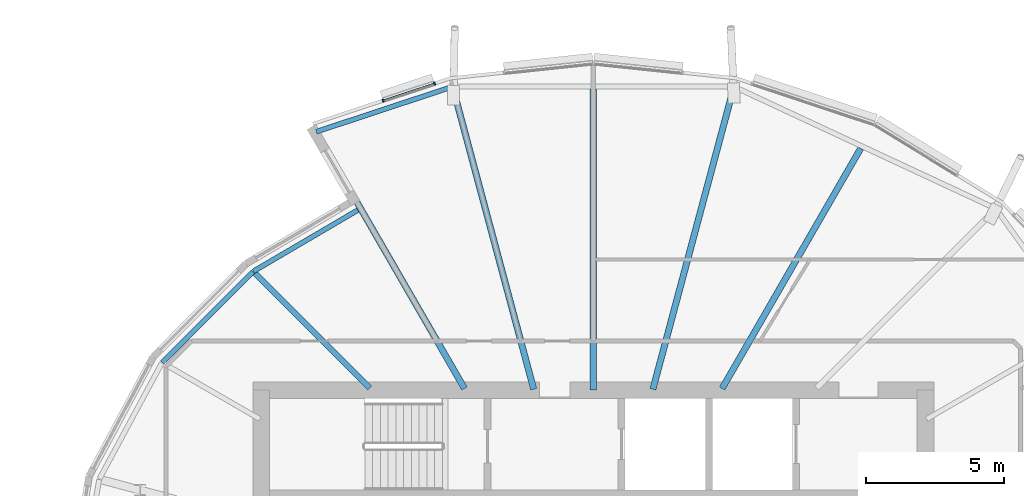
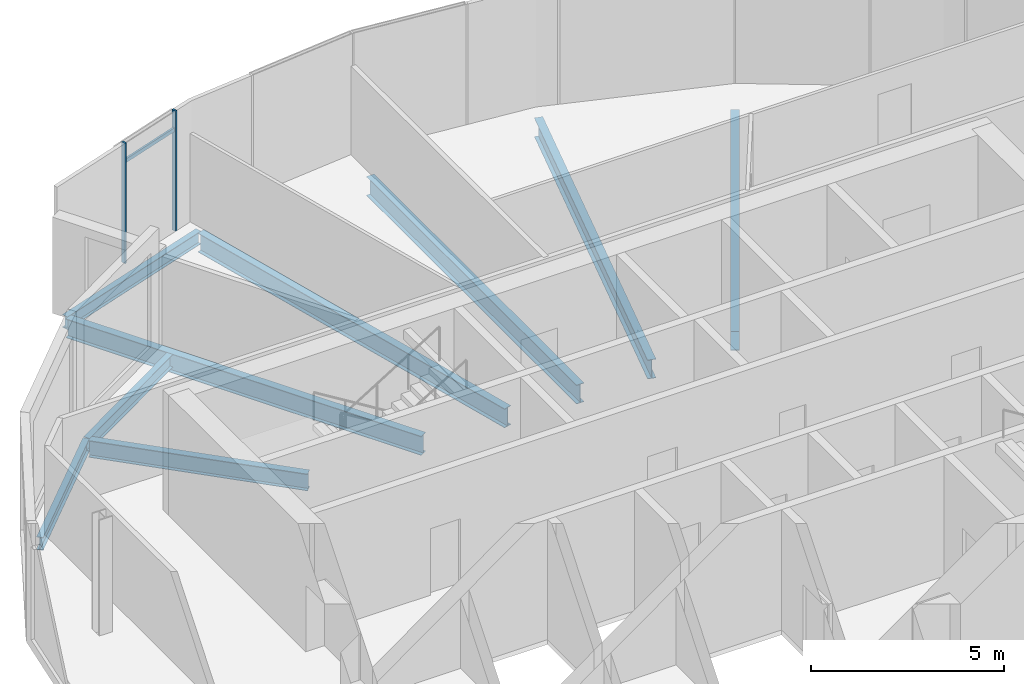
# One storey, part 8 of 36: 9 beams, 3 members, 1 element without a shape of its own.
"""IFC4 building model written with IfcOpenShell, lengths in metres."""

from ifc_helpers import new_model, si_unit, direction, frame, origin, origin_2d, place, context, subcontext, project, spatial, rectangle, i_section, extrude, material, material_profile, profile_set, type_object, element, aggregate, save


model = new_model("IFC4")

# Units and contexts
model_context = context("Model", 3, precision=1e-05, world=origin(), true_north=direction((0.0, 1.0)))
body_context = subcontext(model_context, "Body", "Model", "MODEL_VIEW")
ifc_project = project(units=[si_unit("LENGTHUNIT", "METRE"), si_unit("AREAUNIT", "SQUARE_METRE"), si_unit("VOLUMEUNIT", "CUBIC_METRE"), si_unit("PLANEANGLEUNIT", "RADIAN"), si_unit("MASSUNIT", "GRAM", prefix="KILO")], contexts=[model_context])

# Site, building, storey
site_placement = place(None, origin())
site = spatial("IfcSite", under=ifc_project, at=site_placement, CompositionType="ELEMENT")
building_placement = place(site_placement, origin())
building = spatial("IfcBuilding", under=site, at=building_placement, Name="Rimbun Link Towers", CompositionType="ELEMENT")
storey_placement = place(building_placement, frame((0.0, 0.0, 174.10009765625)))
storey = spatial("IfcBuildingStorey", under=building, at=storey_placement, Name="L42", CompositionType="ELEMENT", Elevation=174.10009765625)

# Curtain wall, members
ifc_material_1 = material(Name="Aluminium 6063-T6 and low-iron glass", Category="aluminium")
curtain_wall_type = type_object("IfcCurtainWallType", Name="CW1-Z3 unitised vision wall (zone 3)", PredefinedType="NOTDEFINED", material=ifc_material_1)
curtain_wall_placement = place(storey_placement, origin())
curtain_wall = element("IfcCurtainWall", 1, at=curtain_wall_placement, inside=storey, type_object=curtain_wall_type, Name="CW1 L42 T1", PredefinedType="NOTDEFINED")
ifc_material_2 = material(Name="Aluminium 6063-T6", Category="aluminium")
ifc_material_profile_1 = material_profile(ifc_material_2, rectangle(XDim=0.1201171875, YDim=0.06005859375, at=origin_2d()), Name="MULLION 60X120")
ifc_profile_set_1 = profile_set([ifc_material_profile_1], Name="Aluminium 6063-T6")
member_type_1 = type_object("IfcMemberType", Name="CW1 mullion 60X120", PredefinedType="MULLION", material=ifc_profile_set_1)
member_1_placement = place(storey_placement, frame((-39.340576171875, 18.4599609375, 0.0), z_axis=(0.0, 0.0, 1.0), x_axis=(-0.314560279601, 0.949237499521, 0.0)))
member_1 = element("IfcMember", 2, at=member_1_placement, type_object=member_type_1, Name="CW1 mullion", PredefinedType="MULLION", context=body_context, shape_type="SweptSolid", body=[
    extrude(rectangle(XDim=0.1201171875, YDim=0.06005859375, at=origin_2d()), origin(), (0.0, 0.0, 1.0), 3.7998046875),
])
member_2_placement = place(storey_placement, frame((-37.48486328125, 19.07470703125, 0.0), z_axis=(0.0, 0.0, 1.0), x_axis=(-0.314560279601, 0.949237499521, 0.0)))
member_2 = element("IfcMember", 3, at=member_2_placement, type_object=member_type_1, Name="CW1 mullion", PredefinedType="MULLION", context=body_context, shape_type="SweptSolid", body=[
    extrude(rectangle(XDim=0.1201171875, YDim=0.06005859375, at=origin_2d()), origin(), (0.0, 0.0, 1.0), 3.7998046875),
])
ifc_material_3 = material(Name="Aluminium 6063-T6", Category="aluminium")
ifc_material_profile_2 = material_profile(ifc_material_3, rectangle(XDim=0.06005859375, YDim=0.1201171875, at=origin_2d()), Name="TRANSOM 60X120")
ifc_profile_set_2 = profile_set([ifc_material_profile_2], Name="Aluminium 6063-T6")
member_type_2 = type_object("IfcMemberType", Name="CW1 transom 60X120", PredefinedType="USERDEFINED", material=ifc_profile_set_2)
member_3_placement = place(storey_placement, frame((-39.3115234375, 18.46728515625, 3.199951171875), z_axis=(0.949222997318, 0.314604039013, 0.0), x_axis=(-0.314604039013, 0.949222997318, 0.0)))
member_3 = element("IfcMember", 4, at=member_3_placement, type_object=member_type_2, Name="CW1 transom", ObjectType="TRANSOM", PredefinedType="USERDEFINED", context=body_context, shape_type="SweptSolid", body=[
    extrude(rectangle(XDim=0.06005859375, YDim=0.1201171875, at=origin_2d()), origin(), (0.0, 0.0, 1.0), 1.89501953125),
])
aggregate(curtain_wall, [member_1, member_2, member_3])

# Beams
ifc_material_4 = material(Name="Steel S355J2", Category="steel")
ifc_material_profile_3 = material_profile(ifc_material_4, i_section(OverallWidth=0.177978515625, OverallDepth=0.406494140625, WebThickness=0.0078125, FlangeThickness=0.0126953125, at=origin_2d()), Name="UB 406x178x60")
ifc_profile_set_3 = profile_set([ifc_material_profile_3], Name="Steel S355J2")
beam_type_1 = type_object("IfcBeamType", Name="UB 406x178x60", PredefinedType="BEAM", material=ifc_profile_set_3)
beam_1_placement = place(storey_placement, frame((-36.831787109375, 18.9619140625, -0.353271484375), z_axis=(-0.949391651169, -0.314094719298, 0.0), x_axis=(0.314094719298, -0.949391651169, 0.0)))
element("IfcBeam", 5, at=beam_1_placement, inside=storey, type_object=beam_type_1, Name="Edge beam T1 L42 07", PredefinedType="BEAM", context=body_context, shape_type="SweptSolid", body=[
    extrude(i_section(OverallWidth=0.177978515625, OverallDepth=0.406494140625, WebThickness=0.0078125, FlangeThickness=0.0126953125, at=origin_2d()), origin(), (0.0, 0.0, 1.0), 5.186767578125),
])
beam_2_placement = place(storey_placement, frame((-40.256103515625, 14.502197265625, -0.353271484375), z_axis=(-0.862621463811, -0.505849987815, 0.0), x_axis=(0.505849987815, -0.862621463811, 0.0)))
element("IfcBeam", 6, at=beam_2_placement, inside=storey, type_object=beam_type_1, Name="Edge beam T1 L42 08 recess", PredefinedType="BEAM", context=body_context, shape_type="SweptSolid", body=[
    extrude(i_section(OverallWidth=0.177978515625, OverallDepth=0.406494140625, WebThickness=0.0078125, FlangeThickness=0.0126953125, at=origin_2d()), origin(), (0.0, 0.0, 1.0), 4.369384765625),
])
beam_3_placement = place(storey_placement, frame((-44.044677734375, 12.277099609375, -0.353271484375), z_axis=(-0.707185886227, -0.707027667295, 0.0), x_axis=(0.707027667295, -0.707185886227, 0.0)))
element("IfcBeam", 7, at=beam_3_placement, inside=storey, type_object=beam_type_1, Name="Edge beam T1 L42 09 recess", PredefinedType="BEAM", context=body_context, shape_type="SweptSolid", body=[
    extrude(i_section(OverallWidth=0.177978515625, OverallDepth=0.406494140625, WebThickness=0.0078125, FlangeThickness=0.0126953125, at=origin_2d()), origin(), (0.0, 0.0, 1.0), 4.629150390625),
])
ifc_material_5 = material(Name="Steel S355J2", Category="steel")
ifc_material_profile_4 = material_profile(ifc_material_5, i_section(OverallWidth=0.209228515625, OverallDepth=0.533203125, WebThickness=0.010009765625, FlangeThickness=0.015625, at=origin_2d()), Name="UB 533x210x92")
ifc_profile_set_4 = profile_set([ifc_material_profile_4], Name="Steel S355J2")
beam_type_2 = type_object("IfcBeamType", Name="UB 533x210x92", PredefinedType="BEAM", material=ifc_profile_set_4)
beam_4_placement = place(storey_placement, frame((-39.82470703125, 8.07470703125, -0.416748046875), z_axis=(-0.707106781187, 0.707106781187, 0.0), x_axis=(-0.707106781187, -0.707106781187, 0.0)))
element("IfcBeam", 8, at=beam_4_placement, inside=storey, type_object=beam_type_2, Name="Radial beam T1 L42 09", PredefinedType="BEAM", context=body_context, shape_type="SweptSolid", body=[
    extrude(i_section(OverallWidth=0.209228515625, OverallDepth=0.533203125, WebThickness=0.010009765625, FlangeThickness=0.015625, at=origin_2d()), origin(), (0.0, 0.0, 1.0), 5.86474609375),
])
ifc_material_6 = material(Name="Steel S355J2", Category="steel")
ifc_material_profile_5 = material_profile(ifc_material_6, i_section(OverallWidth=0.2275390625, OverallDepth=0.6025390625, WebThickness=0.010498046875, FlangeThickness=0.014892578125, at=origin_2d()), Name="UB 610x229x101")
ifc_profile_set_5 = profile_set([ifc_material_profile_5], Name="Steel S355J2")
beam_type_3 = type_object("IfcBeamType", Name="UB 610x229x101", PredefinedType="BEAM", material=ifc_profile_set_5)
beam_5_placement = place(storey_placement, frame((-27.097900390625, 8.057861328125, -0.451416015625), z_axis=(0.500001751638, 0.866024392473, 0.0), x_axis=(-0.866024392473, 0.500001751638, 0.0)))
element("IfcBeam", 9, at=beam_5_placement, inside=storey, type_object=beam_type_3, Name="Radial beam T1 L42 04", PredefinedType="BEAM", context=body_context, shape_type="SweptSolid", body=[
    extrude(i_section(OverallWidth=0.2275390625, OverallDepth=0.6025390625, WebThickness=0.010498046875, FlangeThickness=0.014892578125, at=origin_2d()), origin(), (0.0, 0.0, 1.0), 10.01318359375),
])
beam_6_placement = place(storey_placement, frame((-29.598388671875, 8.030517578125, -0.451416015625), z_axis=(0.258825223364, 0.965924170808, 0.0), x_axis=(-0.965924170808, 0.258825223364, 0.0)))
element("IfcBeam", 10, at=beam_6_placement, inside=storey, type_object=beam_type_3, Name="Radial beam T1 L42 05", PredefinedType="BEAM", context=body_context, shape_type="SweptSolid", body=[
    extrude(i_section(OverallWidth=0.2275390625, OverallDepth=0.6025390625, WebThickness=0.010498046875, FlangeThickness=0.014892578125, at=origin_2d()), origin(), (0.0, 0.0, 1.0), 11.3173828125),
])
beam_7_placement = place(storey_placement, frame((-31.75, 8.0009765625, -0.451416015625), z_axis=(0.0, 1.0, 0.0), x_axis=(-1.0, 0.0, 0.0)))
element("IfcBeam", 11, at=beam_7_placement, inside=storey, type_object=beam_type_3, Name="Radial beam T1 L42 06", PredefinedType="BEAM", context=body_context, shape_type="SweptSolid", body=[
    extrude(i_section(OverallWidth=0.2275390625, OverallDepth=0.6025390625, WebThickness=0.010498046875, FlangeThickness=0.014892578125, at=origin_2d()), origin(), (0.0, 0.0, 1.0), 10.871337890625),
])
beam_8_placement = place(storey_placement, frame((-33.901611328125, 8.030517578125, -0.451416015625), z_axis=(-0.258838620291, 0.965920580921, 0.0), x_axis=(-0.965920580921, -0.258838620291, 0.0)))
element("IfcBeam", 12, at=beam_8_placement, inside=storey, type_object=beam_type_3, Name="Radial beam T1 L42 07", PredefinedType="BEAM", context=body_context, shape_type="SweptSolid", body=[
    extrude(i_section(OverallWidth=0.2275390625, OverallDepth=0.6025390625, WebThickness=0.010498046875, FlangeThickness=0.014892578125, at=origin_2d()), origin(), (0.0, 0.0, 1.0), 11.22705078125),
])
beam_9_placement = place(storey_placement, frame((-36.402099609375, 8.057861328125, -0.451416015625), z_axis=(-0.500004428835, 0.86602284678, 0.0), x_axis=(-0.86602284678, -0.500004428835, 0.0)))
element("IfcBeam", 13, at=beam_9_placement, inside=storey, type_object=beam_type_3, Name="Radial beam T1 L42 08", PredefinedType="BEAM", context=body_context, shape_type="SweptSolid", body=[
    extrude(i_section(OverallWidth=0.2275390625, OverallDepth=0.6025390625, WebThickness=0.010498046875, FlangeThickness=0.014892578125, at=origin_2d()), origin(), (0.0, 0.0, 1.0), 10.61767578125),
])

save(model, "model.ifc")
